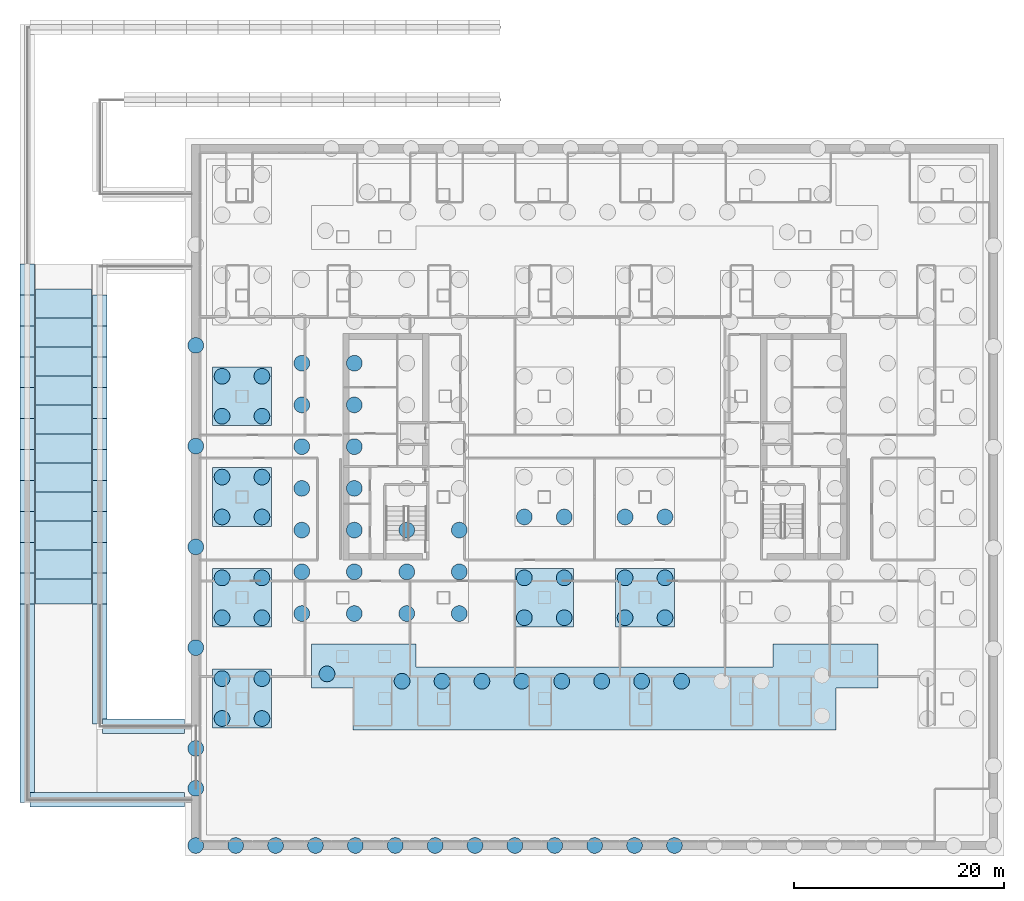
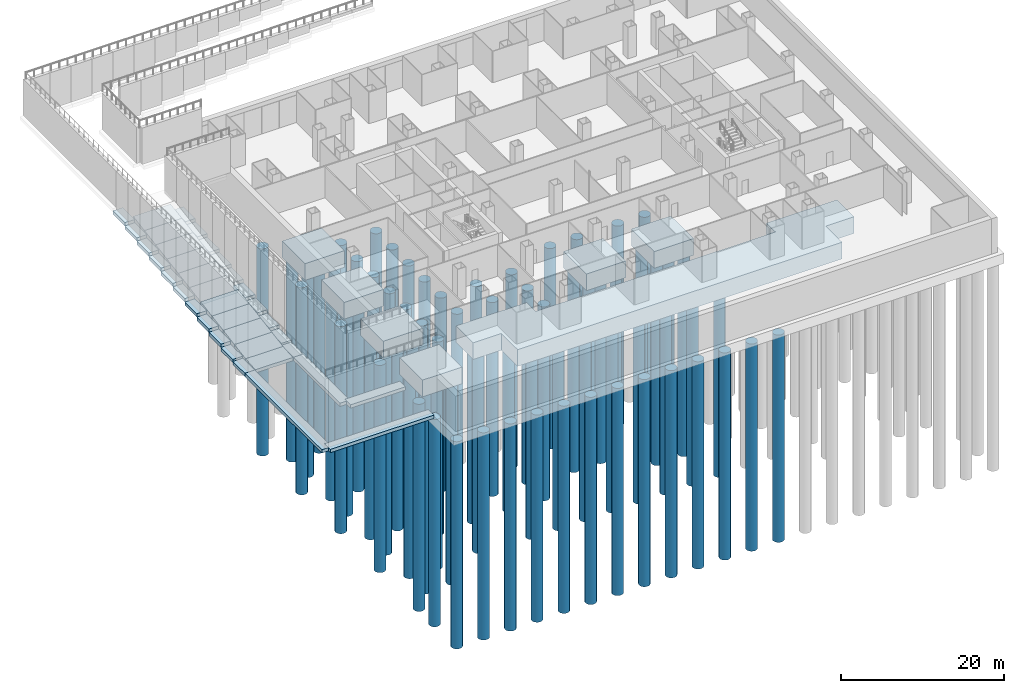
# One storey, part 1 of 17: 76 piles, 43 footings.
"""IFC4 building model written with IfcOpenShell, lengths in metres."""

from ifc_helpers import new_model, si_unit, direction, frame, origin, origin_2d, place, context, subcontext, project, spatial, polyline, circle, outline, extrude, material, material_profile, profile_set, type_object, element, save


model = new_model("IFC4")

# Units and contexts
model_context = context("Model", 3, precision=1e-05, world=origin(), true_north=direction((0.0, 1.0)))
body_context = subcontext(model_context, "Body", "Model", "MODEL_VIEW")
ifc_project = project(units=[si_unit("LENGTHUNIT", "METRE"), si_unit("AREAUNIT", "SQUARE_METRE"), si_unit("VOLUMEUNIT", "CUBIC_METRE"), si_unit("PLANEANGLEUNIT", "RADIAN"), si_unit("MASSUNIT", "GRAM", prefix="KILO")], contexts=[model_context])

# Site, building, storey
site_placement = place(None, origin())
site = spatial("IfcSite", under=ifc_project, at=site_placement, CompositionType="ELEMENT")
building_placement = place(site_placement, origin())
building = spatial("IfcBuilding", under=site, at=building_placement, Name="Cobrizo Arcos Hotel Tower", CompositionType="ELEMENT")
storey_placement = place(building_placement, frame((0.0, 0.0, -10.0)))
storey = spatial("IfcBuildingStorey", under=building, at=storey_placement, Name="B2", CompositionType="ELEMENT", Elevation=-10.0)

# Piles
ifc_material = material(Name="Concrete f'c 40 MPa", Category="concrete")
ifc_material_profile = material_profile(ifc_material, circle(Radius=0.75, at=origin_2d()), Name="BORED PILE 1500")
ifc_profile_set = profile_set([ifc_material_profile], Name="Concrete f'c 40 MPa")
pile_type = type_object("IfcPileType", Name="Bored pile 1500", PredefinedType="BORED", material=ifc_profile_set)
for number, where, z_axis, x_axis, name in (
    (1, (-27.89990234375, -15.89990234375, -3.949951171875), (0.0, 0.0, -1.0), (1.0, 0.0, 0.0), "Bored pile PL1, west core raft, row 00, no. 00"),
    (2, (-27.89990234375, -11.925048828125, -3.949951171875), (0.0, 0.0, -1.0), (1.0, 0.0, 0.0), "Bored pile PL1, west core raft, row 00, no. 01"),
    (3, (-27.89990234375, -7.949951171875, -3.949951171875), (0.0, 0.0, -1.0), (1.0, 0.0, 0.0), "Bored pile PL1, west core raft, row 00, no. 02"),
    (4, (-27.89990234375, -3.97509765625, -3.949951171875), (0.0, 0.0, -1.0), (1.0, 0.0, 0.0), "Bored pile PL1, west core raft, row 00, no. 03"),
    (5, (-27.89990234375, 0.0, -3.949951171875), (0.0, 0.0, -1.0), (1.0, 0.0, 0.0), "Bored pile PL1, west core raft, row 00, no. 04"),
    (6, (-27.89990234375, 3.97509765625, -3.949951171875), (0.0, 0.0, -1.0), (1.0, 0.0, 0.0), "Bored pile PL1, west core raft, row 00, no. 05"),
    (7, (-27.89990234375, 7.949951171875, -3.949951171875), (0.0, 0.0, -1.0), (1.0, 0.0, 0.0), "Bored pile PL1, west core raft, row 00, no. 06"),
    (8, (-22.89990234375, -15.89990234375, -3.949951171875), (0.0, 0.0, -1.0), (1.0, 0.0, 0.0), "Bored pile PL1, west core raft, row 01, no. 00"),
    (9, (-22.89990234375, -11.925048828125, -3.949951171875), (0.0, 0.0, -1.0), (1.0, 0.0, 0.0), "Bored pile PL1, west core raft, row 01, no. 01"),
    (10, (-22.89990234375, -7.949951171875, -3.949951171875), (0.0, 0.0, -1.0), (1.0, 0.0, 0.0), "Bored pile PL1, west core raft, row 01, no. 02"),
    (11, (-22.89990234375, -3.97509765625, -3.949951171875), (0.0, 0.0, -1.0), (1.0, 0.0, 0.0), "Bored pile PL1, west core raft, row 01, no. 03"),
    (12, (-22.89990234375, 0.0, -3.949951171875), (0.0, 0.0, -1.0), (1.0, 0.0, 0.0), "Bored pile PL1, west core raft, row 01, no. 04"),
    (13, (-22.89990234375, 3.97509765625, -3.949951171875), (0.0, 0.0, -1.0), (1.0, 0.0, 0.0), "Bored pile PL1, west core raft, row 01, no. 05"),
    (14, (-22.89990234375, 7.949951171875, -3.949951171875), (0.0, 0.0, -1.0), (1.0, 0.0, 0.0), "Bored pile PL1, west core raft, row 01, no. 06"),
    (15, (-17.89990234375, -15.89990234375, -3.949951171875), (0.0, 0.0, -1.0), (1.0, 0.0, 0.0), "Bored pile PL1, west core raft, row 02, no. 00"),
    (16, (-17.89990234375, -11.925048828125, -3.949951171875), (0.0, 0.0, -1.0), (1.0, 0.0, 0.0), "Bored pile PL1, west core raft, row 02, no. 01"),
    (17, (-17.89990234375, -7.949951171875, -3.949951171875), (0.0, 0.0, -1.0), (1.0, 0.0, 0.0), "Bored pile PL1, west core raft, row 02, no. 02"),
    (18, (-12.89990234375, -15.89990234375, -3.949951171875), (0.0, 0.0, -1.0), (1.0, 0.0, 0.0), "Bored pile PL1, west core raft, row 03, no. 00"),
    (19, (-12.89990234375, -11.925048828125, -3.949951171875), (0.0, 0.0, -1.0), (1.0, 0.0, 0.0), "Bored pile PL1, west core raft, row 03, no. 01"),
    (20, (-12.89990234375, -7.949951171875, -3.949951171875), (0.0, 0.0, -1.0), (1.0, 0.0, 0.0), "Bored pile PL1, west core raft, row 03, no. 02"),
):
    element("IfcPile", number, at=place(storey_placement, frame(where, z_axis=z_axis, x_axis=x_axis)), inside=storey, type_object=pile_type, Name=name, PredefinedType="BORED", context=body_context, shape_type="SweptSolid", body=[
        extrude(circle(Radius=0.75, at=origin_2d()), origin(), (0.0, 0.0, 1.0), 29.050048828125),
    ])
for number, where, z_axis, x_axis, name in (
    (21, (-35.5, -25.89990234375, -2.949951171875), (0.0, 0.0, -1.0), (1.0, 0.0, 0.0), "Bored pile PL1, pile cap 01, no. 0"),
    (22, (-31.699951171875, -25.89990234375, -2.949951171875), (0.0, 0.0, -1.0), (1.0, 0.0, 0.0), "Bored pile PL1, pile cap 01, no. 1"),
    (23, (-35.5, -22.10009765625, -2.949951171875), (0.0, 0.0, -1.0), (1.0, 0.0, 0.0), "Bored pile PL1, pile cap 01, no. 2"),
    (24, (-31.699951171875, -22.10009765625, -2.949951171875), (0.0, 0.0, -1.0), (1.0, 0.0, 0.0), "Bored pile PL1, pile cap 01, no. 3"),
    (25, (-35.5, -16.300048828125, -2.949951171875), (0.0, 0.0, -1.0), (1.0, 0.0, 0.0), "Bored pile PL1, pile cap 02, no. 0"),
    (26, (-31.699951171875, -16.300048828125, -2.949951171875), (0.0, 0.0, -1.0), (1.0, 0.0, 0.0), "Bored pile PL1, pile cap 02, no. 1"),
    (27, (-35.5, -12.5, -2.949951171875), (0.0, 0.0, -1.0), (1.0, 0.0, 0.0), "Bored pile PL1, pile cap 02, no. 2"),
    (28, (-31.699951171875, -12.5, -2.949951171875), (0.0, 0.0, -1.0), (1.0, 0.0, 0.0), "Bored pile PL1, pile cap 02, no. 3"),
    (29, (-35.5, -6.699951171875, -2.949951171875), (0.0, 0.0, -1.0), (1.0, 0.0, 0.0), "Bored pile PL1, pile cap 03, no. 0"),
    (30, (-31.699951171875, -6.699951171875, -2.949951171875), (0.0, 0.0, -1.0), (1.0, 0.0, 0.0), "Bored pile PL1, pile cap 03, no. 1"),
    (31, (-35.5, -2.89990234375, -2.949951171875), (0.0, 0.0, -1.0), (1.0, 0.0, 0.0), "Bored pile PL1, pile cap 03, no. 2"),
    (32, (-31.699951171875, -2.89990234375, -2.949951171875), (0.0, 0.0, -1.0), (1.0, 0.0, 0.0), "Bored pile PL1, pile cap 03, no. 3"),
    (33, (-35.5, 2.89990234375, -2.949951171875), (0.0, 0.0, -1.0), (1.0, 0.0, 0.0), "Bored pile PL1, pile cap 04, no. 0"),
    (34, (-31.699951171875, 2.89990234375, -2.949951171875), (0.0, 0.0, -1.0), (1.0, 0.0, 0.0), "Bored pile PL1, pile cap 04, no. 1"),
    (35, (-35.5, 6.699951171875, -2.949951171875), (0.0, 0.0, -1.0), (1.0, 0.0, 0.0), "Bored pile PL1, pile cap 04, no. 2"),
    (36, (-31.699951171875, 6.699951171875, -2.949951171875), (0.0, 0.0, -1.0), (1.0, 0.0, 0.0), "Bored pile PL1, pile cap 04, no. 3"),
    (37, (-6.699951171875, -16.300048828125, -2.949951171875), (0.0, 0.0, -1.0), (1.0, 0.0, 0.0), "Bored pile PL1, pile cap 07, no. 0"),
    (38, (-2.89990234375, -16.300048828125, -2.949951171875), (0.0, 0.0, -1.0), (1.0, 0.0, 0.0), "Bored pile PL1, pile cap 07, no. 1"),
    (39, (-6.699951171875, -12.5, -2.949951171875), (0.0, 0.0, -1.0), (1.0, 0.0, 0.0), "Bored pile PL1, pile cap 07, no. 2"),
    (40, (-2.89990234375, -12.5, -2.949951171875), (0.0, 0.0, -1.0), (1.0, 0.0, 0.0), "Bored pile PL1, pile cap 07, no. 3"),
    (41, (-6.699951171875, -6.699951171875, -2.949951171875), (0.0, 0.0, -1.0), (1.0, 0.0, 0.0), "Bored pile PL1, pile cap 08, no. 0"),
    (42, (-2.89990234375, -6.699951171875, -2.949951171875), (0.0, 0.0, -1.0), (1.0, 0.0, 0.0), "Bored pile PL1, pile cap 08, no. 1"),
    (43, (2.89990234375, -16.300048828125, -2.949951171875), (0.0, 0.0, -1.0), (1.0, 0.0, 0.0), "Bored pile PL1, pile cap 11, no. 0"),
    (44, (6.699951171875, -16.300048828125, -2.949951171875), (0.0, 0.0, -1.0), (1.0, 0.0, 0.0), "Bored pile PL1, pile cap 11, no. 1"),
    (45, (2.89990234375, -12.5, -2.949951171875), (0.0, 0.0, -1.0), (1.0, 0.0, 0.0), "Bored pile PL1, pile cap 11, no. 2"),
    (46, (6.699951171875, -12.5, -2.949951171875), (0.0, 0.0, -1.0), (1.0, 0.0, 0.0), "Bored pile PL1, pile cap 11, no. 3"),
    (47, (2.89990234375, -6.699951171875, -2.949951171875), (0.0, 0.0, -1.0), (1.0, 0.0, 0.0), "Bored pile PL1, pile cap 12, no. 0"),
    (48, (6.699951171875, -6.699951171875, -2.949951171875), (0.0, 0.0, -1.0), (1.0, 0.0, 0.0), "Bored pile PL1, pile cap 12, no. 1"),
    (49, (-18.35009765625, -22.35009765625, -2.949951171875), (0.0, 0.0, -1.0), (1.0, 0.0, 0.0), "Bored pile PL1, strip footing 01, no. 001"),
    (50, (-14.545654296875, -22.35009765625, -2.949951171875), (0.0, 0.0, -1.0), (1.0, 0.0, 0.0), "Bored pile PL1, strip footing 01, no. 002"),
    (51, (-10.741455078125, -22.35009765625, -2.949951171875), (0.0, 0.0, -1.0), (1.0, 0.0, 0.0), "Bored pile PL1, strip footing 01, no. 003"),
    (52, (-6.937255859375, -22.35009765625, -2.949951171875), (0.0, 0.0, -1.0), (1.0, 0.0, 0.0), "Bored pile PL1, strip footing 01, no. 004"),
    (53, (-3.133056640625, -22.35009765625, -2.949951171875), (0.0, 0.0, -1.0), (1.0, 0.0, 0.0), "Bored pile PL1, strip footing 01, no. 005"),
    (54, (0.67138671875, -22.35009765625, -2.949951171875), (0.0, 0.0, -1.0), (1.0, 0.0, 0.0), "Bored pile PL1, strip footing 01, no. 006"),
    (55, (4.4755859375, -22.35009765625, -2.949951171875), (0.0, 0.0, -1.0), (1.0, 0.0, 0.0), "Bored pile PL1, strip footing 01, no. 007"),
    (56, (8.27978515625, -22.35009765625, -2.949951171875), (0.0, 0.0, -1.0), (1.0, 0.0, 0.0), "Bored pile PL1, strip footing 01, no. 008"),
    (57, (-25.501220703125, -21.64990234375, -2.949951171875), (0.0, 0.0, -1.0), (1.0, 0.0, 0.0), "Bored pile PL1, strip footing 01, no. 012"),
):
    element("IfcPile", number, at=place(storey_placement, frame(where, z_axis=z_axis, x_axis=x_axis)), inside=storey, type_object=pile_type, Name=name, PredefinedType="BORED", context=body_context, shape_type="SweptSolid", body=[
        extrude(circle(Radius=0.75, at=origin_2d()), origin(), (0.0, 0.0, 1.0), 30.050048828125),
    ])
for number, where, z_axis, x_axis, name in (
    (58, (-38.0, -38.0, -1.949951171875), (0.0, 0.0, -1.0), (1.0, 0.0, 0.0), "Bored pile PL1, basement wall strip, no. 000"),
    (59, (-34.199951171875, -38.0, -1.949951171875), (0.0, 0.0, -1.0), (1.0, 0.0, 0.0), "Bored pile PL1, basement wall strip, no. 001"),
    (60, (-30.39990234375, -38.0, -1.949951171875), (0.0, 0.0, -1.0), (1.0, 0.0, 0.0), "Bored pile PL1, basement wall strip, no. 002"),
    (61, (-26.60009765625, -38.0, -1.949951171875), (0.0, 0.0, -1.0), (1.0, 0.0, 0.0), "Bored pile PL1, basement wall strip, no. 003"),
    (62, (-22.800048828125, -38.0, -1.949951171875), (0.0, 0.0, -1.0), (1.0, 0.0, 0.0), "Bored pile PL1, basement wall strip, no. 004"),
    (63, (-19.0, -38.0, -1.949951171875), (0.0, 0.0, -1.0), (1.0, 0.0, 0.0), "Bored pile PL1, basement wall strip, no. 005"),
    (64, (-15.199951171875, -38.0, -1.949951171875), (0.0, 0.0, -1.0), (1.0, 0.0, 0.0), "Bored pile PL1, basement wall strip, no. 006"),
    (65, (-11.39990234375, -38.0, -1.949951171875), (0.0, 0.0, -1.0), (1.0, 0.0, 0.0), "Bored pile PL1, basement wall strip, no. 007"),
    (66, (-7.60009765625, -38.0, -1.949951171875), (0.0, 0.0, -1.0), (1.0, 0.0, 0.0), "Bored pile PL1, basement wall strip, no. 008"),
    (67, (-3.800048828125, -38.0, -1.949951171875), (0.0, 0.0, -1.0), (1.0, 0.0, 0.0), "Bored pile PL1, basement wall strip, no. 009"),
    (68, (0.0, -38.0, -1.949951171875), (0.0, 0.0, -1.0), (1.0, 0.0, 0.0), "Bored pile PL1, basement wall strip, no. 010"),
    (69, (3.800048828125, -38.0, -1.949951171875), (0.0, 0.0, -1.0), (1.0, 0.0, 0.0), "Bored pile PL1, basement wall strip, no. 011"),
    (70, (7.60009765625, -38.0, -1.949951171875), (0.0, 0.0, -1.0), (1.0, 0.0, 0.0), "Bored pile PL1, basement wall strip, no. 012"),
    (71, (-38.0, 9.64990234375, -1.949951171875), (0.0, 0.0, -1.0), (1.0, 0.0, 0.0), "Bored pile PL1, basement wall strip, no. 043"),
    (72, (-38.0, 0.050048828125, -1.949951171875), (0.0, 0.0, -1.0), (1.0, 0.0, 0.0), "Bored pile PL1, basement wall strip, no. 044"),
    (73, (-38.0, -9.550048828125, -1.949951171875), (0.0, 0.0, -1.0), (1.0, 0.0, 0.0), "Bored pile PL1, basement wall strip, no. 045"),
    (74, (-38.0, -19.14990234375, -1.949951171875), (0.0, 0.0, -1.0), (1.0, 0.0, 0.0), "Bored pile PL1, basement wall strip, no. 046"),
    (75, (-38.0, -28.75, -1.949951171875), (0.0, 0.0, -1.0), (1.0, 0.0, 0.0), "Bored pile PL1, basement wall strip, no. 047"),
    (76, (-38.0, -32.550048828125, -1.949951171875), (0.0, 0.0, -1.0), (1.0, 0.0, 0.0), "Bored pile PL1, basement wall strip, no. 048"),
):
    element("IfcPile", number, at=place(storey_placement, frame(where, z_axis=z_axis, x_axis=x_axis)), inside=storey, type_object=pile_type, Name=name, PredefinedType="BORED", context=body_context, shape_type="SweptSolid", body=[
        extrude(circle(Radius=0.75, at=origin_2d()), origin(), (0.0, 0.0, 1.0), 31.050048828125),
    ])

# Footings
footing_type_1 = type_object("IfcFootingType", Name="Pile cap 4 piles 5600 x 5600", PredefinedType="PILE_CAP", material=ifc_material)
footing_1_placement = place(storey_placement, frame((0.0, 0.0, -3.10009765625)))
element("IfcFooting", 77, at=footing_1_placement, inside=storey, type_object=footing_type_1, Name="Pile cap PC1, no. 01", PredefinedType="PILE_CAP", context=body_context, shape_type="SweptSolid", body=[
    extrude(outline(polyline([(-30.800048828125, -26.800048828125), (-30.800048828125, -21.199951171875), (-36.39990234375, -21.199951171875), (-36.39990234375, -26.800048828125), (-30.800048828125, -26.800048828125)])), origin(), (0.0, 0.0, 1.0), 2.5),
])
footing_2_placement = place(storey_placement, frame((0.0, 0.0, -3.10009765625)))
element("IfcFooting", 78, at=footing_2_placement, inside=storey, type_object=footing_type_1, Name="Pile cap PC2, no. 02", PredefinedType="PILE_CAP", context=body_context, shape_type="SweptSolid", body=[
    extrude(outline(polyline([(-30.800048828125, -17.199951171875), (-30.800048828125, -11.60009765625), (-36.39990234375, -11.60009765625), (-36.39990234375, -17.199951171875), (-30.800048828125, -17.199951171875)])), origin(), (0.0, 0.0, 1.0), 2.5),
])
footing_3_placement = place(storey_placement, frame((0.0, 0.0, -3.10009765625)))
element("IfcFooting", 79, at=footing_3_placement, inside=storey, type_object=footing_type_1, Name="Pile cap PC3, no. 03", PredefinedType="PILE_CAP", context=body_context, shape_type="SweptSolid", body=[
    extrude(outline(polyline([(-30.800048828125, -7.60009765625), (-30.800048828125, -2.0), (-36.39990234375, -2.0), (-36.39990234375, -7.60009765625), (-30.800048828125, -7.60009765625)])), origin(), (0.0, 0.0, 1.0), 2.5),
])
footing_4_placement = place(storey_placement, frame((0.0, 0.0, -3.10009765625)))
element("IfcFooting", 80, at=footing_4_placement, inside=storey, type_object=footing_type_1, Name="Pile cap PC4, no. 04", PredefinedType="PILE_CAP", context=body_context, shape_type="SweptSolid", body=[
    extrude(outline(polyline([(-30.800048828125, 2.0), (-30.800048828125, 7.60009765625), (-36.39990234375, 7.60009765625), (-36.39990234375, 2.0), (-30.800048828125, 2.0)])), origin(), (0.0, 0.0, 1.0), 2.5),
])
footing_5_placement = place(storey_placement, frame((0.0, 0.0, -3.10009765625)))
element("IfcFooting", 81, at=footing_5_placement, inside=storey, type_object=footing_type_1, Name="Pile cap PC7, no. 07", PredefinedType="PILE_CAP", context=body_context, shape_type="SweptSolid", body=[
    extrude(outline(polyline([(-2.0, -17.199951171875), (-2.0, -11.60009765625), (-7.60009765625, -11.60009765625), (-7.60009765625, -17.199951171875), (-2.0, -17.199951171875)])), origin(), (0.0, 0.0, 1.0), 2.5),
])
footing_6_placement = place(storey_placement, frame((0.0, 0.0, -3.10009765625)))
element("IfcFooting", 82, at=footing_6_placement, inside=storey, type_object=footing_type_1, Name="Pile cap PC11, no. 11", PredefinedType="PILE_CAP", context=body_context, shape_type="SweptSolid", body=[
    extrude(outline(polyline([(7.60009765625, -17.199951171875), (7.60009765625, -11.60009765625), (2.0, -11.60009765625), (2.0, -17.199951171875), (7.60009765625, -17.199951171875)])), origin(), (0.0, 0.0, 1.0), 2.5),
])
footing_type_2 = type_object("IfcFootingType", Name="Ramp bed footing 500", PredefinedType="STRIP_FOOTING", material=ifc_material)
for number, where, z_axis, x_axis, name in (
    (83, (-50.60009765625, 15.0, 3.5400390625), (0.0, 0.0, 1.0), (0.0, -1.0, 0.0), "Ramp B bed footing 2.1"),
    (84, (-50.60009765625, 12.239990234375, 3.080078125), (0.0, 0.0, 1.0), (0.0, -1.0, 0.0), "Ramp B bed footing 2.2"),
    (85, (-50.60009765625, 9.47998046875, 2.6201171875), (0.0, 0.0, 1.0), (0.0, -1.0, 0.0), "Ramp B bed footing 2.3"),
):
    element("IfcFooting", number, at=place(storey_placement, frame(where, z_axis=z_axis, x_axis=x_axis)), inside=storey, type_object=footing_type_2, Name=name, PredefinedType="STRIP_FOOTING", context=body_context, shape_type="SweptSolid", body=[
        extrude(outline(polyline([(0.0, 0.0), (2.760009765625, 0.0), (2.760009765625, 0.5), (0.0, 0.9599609375), (0.0, 0.0)])), frame((0.0, 2.64990234375, 0.0), z_axis=(0.0, -1.0, 0.0), x_axis=(1.0, 0.0, 0.0)), (0.0, 0.0, 1.0), 5.300048828125),
    ])
footing_7_placement = place(storey_placement, frame((-50.60009765625, 6.719970703125, 2.159912109375), z_axis=(0.0, 0.0, 1.0), x_axis=(0.0, -1.0, 0.0)))
element("IfcFooting", 86, at=footing_7_placement, inside=storey, type_object=footing_type_2, Name="Ramp B bed footing 2.4", PredefinedType="STRIP_FOOTING", context=body_context, shape_type="SweptSolid", body=[
    extrude(outline(polyline([(0.0, 0.0), (2.760009765625, 0.0), (2.760009765625, 0.5), (0.0, 0.960205078125), (0.0, 0.0)])), frame((0.0, 2.64990234375, 0.0), z_axis=(0.0, -1.0, 0.0), x_axis=(1.0, 0.0, 0.0)), (0.0, 0.0, 1.0), 5.300048828125),
])
for number, where, z_axis, x_axis, name in (
    (87, (-50.60009765625, 3.9599609375, 1.699951171875), (0.0, 0.0, 1.0), (0.0, -1.0, 0.0), "Ramp B bed footing 2.5"),
    (88, (-50.60009765625, 1.199951171875, 1.239990234375), (0.0, 0.0, 1.0), (0.0, -1.0, 0.0), "Ramp B bed footing 2.6"),
    (89, (-50.60009765625, -1.56005859375, 0.780029296875), (0.0, 0.0, 1.0), (0.0, -1.0, 0.0), "Ramp B bed footing 2.7"),
    (90, (-50.60009765625, -4.320068359375, 0.320068359375), (0.0, 0.0, 1.0), (0.0, -1.0, 0.0), "Ramp B bed footing 2.8"),
    (91, (-50.60009765625, -7.080078125, -0.139892578125), (0.0, 0.0, 1.0), (0.0, -1.0, 0.0), "Ramp B bed footing 2.9"),
):
    element("IfcFooting", number, at=place(storey_placement, frame(where, z_axis=z_axis, x_axis=x_axis)), inside=storey, type_object=footing_type_2, Name=name, PredefinedType="STRIP_FOOTING", context=body_context, shape_type="SweptSolid", body=[
        extrude(outline(polyline([(0.0, 0.0), (2.760009765625, 0.0), (2.760009765625, 0.5), (0.0, 0.9599609375), (0.0, 0.0)])), frame((0.0, 2.64990234375, 0.0), z_axis=(0.0, -1.0, 0.0), x_axis=(1.0, 0.0, 0.0)), (0.0, 0.0, 1.0), 5.300048828125),
    ])
footing_8_placement = place(storey_placement, frame((-50.60009765625, -9.840087890625, -0.60009765625), z_axis=(0.0, 0.0, 1.0), x_axis=(0.0, -1.0, 0.0)))
element("IfcFooting", 92, at=footing_8_placement, inside=storey, type_object=footing_type_2, Name="Ramp B bed footing 2.10", PredefinedType="STRIP_FOOTING", context=body_context, shape_type="SweptSolid", body=[
    extrude(outline(polyline([(0.0, 0.0), (2.760009765625, 0.0), (2.760009765625, 0.5), (0.0, 0.960205078125), (0.0, 0.0)])), frame((0.0, 2.64990234375, 0.0), z_axis=(0.0, -1.0, 0.0), x_axis=(1.0, 0.0, 0.0)), (0.0, 0.0, 1.0), 5.300048828125),
])
footing_9_placement = place(storey_placement, frame((-50.60009765625, -12.60009765625, -0.800048828125), z_axis=(0.0, 0.0, 1.0), x_axis=(0.0, -1.0, 0.0)))
element("IfcFooting", 93, at=footing_9_placement, inside=storey, type_object=footing_type_2, Name="Ramp B bed footing 3.1", PredefinedType="STRIP_FOOTING", context=body_context, shape_type="SweptSolid", body=[
    extrude(outline(polyline([(0.0, 0.0), (2.39990234375, 0.0), (2.39990234375, 0.5), (0.0, 0.699951171875), (0.0, 0.0)])), frame((0.0, 2.64990234375, 0.0), z_axis=(0.0, -1.0, 0.0), x_axis=(1.0, 0.0, 0.0)), (0.0, 0.0, 1.0), 5.300048828125),
])
footing_type_3 = type_object("IfcFootingType", Name="Ramp wall footing 1400 x 500", PredefinedType="STRIP_FOOTING", material=ifc_material)
footing_10_placement = place(storey_placement, frame((0.0, 0.0, -0.800048828125)))
element("IfcFooting", 94, at=footing_10_placement, inside=storey, type_object=footing_type_3, Name="Ramp B wall footing west 1", PredefinedType="STRIP_FOOTING", context=body_context, shape_type="SweptSolid", body=[
    extrude(outline(polyline([(-54.75, -12.054443359375), (-53.35009765625, -12.054443359375), (-53.35009765625, -15.0), (-54.75, -15.0), (-54.75, -12.054443359375)])), origin(), (0.0, 0.0, 1.0), 0.5),
])
footing_11_placement = place(storey_placement, frame((0.0, 0.0, -0.800048828125)))
element("IfcFooting", 95, at=footing_11_placement, inside=storey, type_object=footing_type_3, Name="Ramp B wall footing east 1", PredefinedType="STRIP_FOOTING", context=body_context, shape_type="SweptSolid", body=[
    extrude(outline(polyline([(-47.85009765625, -12.054443359375), (-46.449951171875, -12.054443359375), (-46.449951171875, -15.0), (-47.85009765625, -15.0), (-47.85009765625, -12.054443359375)])), origin(), (0.0, 0.0, 1.0), 0.5),
])
footing_12_placement = place(storey_placement, frame((0.0, 0.0, -0.509033203125)))
element("IfcFooting", 96, at=footing_12_placement, inside=storey, type_object=footing_type_3, Name="Ramp B wall footing west 2", PredefinedType="STRIP_FOOTING", context=body_context, shape_type="SweptSolid", body=[
    extrude(outline(polyline([(-54.75, -9.109130859375), (-53.35009765625, -9.109130859375), (-53.35009765625, -12.054443359375), (-54.75, -12.054443359375), (-54.75, -9.109130859375)])), origin(), (0.0, 0.0, 1.0), 0.5),
])
footing_13_placement = place(storey_placement, frame((0.0, 0.0, -0.509033203125)))
element("IfcFooting", 97, at=footing_13_placement, inside=storey, type_object=footing_type_3, Name="Ramp B wall footing east 2", PredefinedType="STRIP_FOOTING", context=body_context, shape_type="SweptSolid", body=[
    extrude(outline(polyline([(-47.85009765625, -9.109130859375), (-46.449951171875, -9.109130859375), (-46.449951171875, -12.054443359375), (-47.85009765625, -12.054443359375), (-47.85009765625, -9.109130859375)])), origin(), (0.0, 0.0, 1.0), 0.5),
])
footing_14_placement = place(storey_placement, frame((0.0, 0.0, -0.018310546875)))
element("IfcFooting", 98, at=footing_14_placement, inside=storey, type_object=footing_type_3, Name="Ramp B wall footing west 3", PredefinedType="STRIP_FOOTING", context=body_context, shape_type="SweptSolid", body=[
    extrude(outline(polyline([(-54.75, -6.16357421875), (-53.35009765625, -6.16357421875), (-53.35009765625, -9.109130859375), (-54.75, -9.109130859375), (-54.75, -6.16357421875)])), origin(), (0.0, 0.0, 1.0), 0.5),
])
footing_15_placement = place(storey_placement, frame((0.0, 0.0, -0.018310546875)))
element("IfcFooting", 99, at=footing_15_placement, inside=storey, type_object=footing_type_3, Name="Ramp B wall footing east 3", PredefinedType="STRIP_FOOTING", context=body_context, shape_type="SweptSolid", body=[
    extrude(outline(polyline([(-47.85009765625, -6.16357421875), (-46.449951171875, -6.16357421875), (-46.449951171875, -9.109130859375), (-47.85009765625, -9.109130859375), (-47.85009765625, -6.16357421875)])), origin(), (0.0, 0.0, 1.0), 0.5),
])
footing_16_placement = place(storey_placement, frame((0.0, 0.0, 0.47265625)))
element("IfcFooting", 100, at=footing_16_placement, inside=storey, type_object=footing_type_3, Name="Ramp B wall footing west 4", PredefinedType="STRIP_FOOTING", context=body_context, shape_type="SweptSolid", body=[
    extrude(outline(polyline([(-54.75, -3.21826171875), (-53.35009765625, -3.21826171875), (-53.35009765625, -6.16357421875), (-54.75, -6.16357421875), (-54.75, -3.21826171875)])), origin(), (0.0, 0.0, 1.0), 0.5),
])
footing_17_placement = place(storey_placement, frame((0.0, 0.0, 0.47265625)))
element("IfcFooting", 101, at=footing_17_placement, inside=storey, type_object=footing_type_3, Name="Ramp B wall footing east 4", PredefinedType="STRIP_FOOTING", context=body_context, shape_type="SweptSolid", body=[
    extrude(outline(polyline([(-47.85009765625, -3.21826171875), (-46.449951171875, -3.21826171875), (-46.449951171875, -6.16357421875), (-47.85009765625, -6.16357421875), (-47.85009765625, -3.21826171875)])), origin(), (0.0, 0.0, 1.0), 0.5),
])
footing_18_placement = place(storey_placement, frame((0.0, 0.0, 0.963623046875)))
element("IfcFooting", 102, at=footing_18_placement, inside=storey, type_object=footing_type_3, Name="Ramp B wall footing west 5", PredefinedType="STRIP_FOOTING", context=body_context, shape_type="SweptSolid", body=[
    extrude(outline(polyline([(-54.75, -0.272705078125), (-53.35009765625, -0.272705078125), (-53.35009765625, -3.21826171875), (-54.75, -3.21826171875), (-54.75, -0.272705078125)])), origin(), (0.0, 0.0, 1.0), 0.5),
])
footing_19_placement = place(storey_placement, frame((0.0, 0.0, 0.963623046875)))
element("IfcFooting", 103, at=footing_19_placement, inside=storey, type_object=footing_type_3, Name="Ramp B wall footing east 5", PredefinedType="STRIP_FOOTING", context=body_context, shape_type="SweptSolid", body=[
    extrude(outline(polyline([(-47.85009765625, -0.272705078125), (-46.449951171875, -0.272705078125), (-46.449951171875, -3.21826171875), (-47.85009765625, -3.21826171875), (-47.85009765625, -0.272705078125)])), origin(), (0.0, 0.0, 1.0), 0.5),
])
footing_20_placement = place(storey_placement, frame((0.0, 0.0, 1.45458984375)))
element("IfcFooting", 104, at=footing_20_placement, inside=storey, type_object=footing_type_3, Name="Ramp B wall footing west 6", PredefinedType="STRIP_FOOTING", context=body_context, shape_type="SweptSolid", body=[
    extrude(outline(polyline([(-54.75, 2.672607421875), (-53.35009765625, 2.672607421875), (-53.35009765625, -0.272705078125), (-54.75, -0.272705078125), (-54.75, 2.672607421875)])), origin(), (0.0, 0.0, 1.0), 0.5),
])
footing_21_placement = place(storey_placement, frame((0.0, 0.0, 1.45458984375)))
element("IfcFooting", 105, at=footing_21_placement, inside=storey, type_object=footing_type_3, Name="Ramp B wall footing east 6", PredefinedType="STRIP_FOOTING", context=body_context, shape_type="SweptSolid", body=[
    extrude(outline(polyline([(-47.85009765625, 2.672607421875), (-46.449951171875, 2.672607421875), (-46.449951171875, -0.272705078125), (-47.85009765625, -0.272705078125), (-47.85009765625, 2.672607421875)])), origin(), (0.0, 0.0, 1.0), 0.5),
])
footing_22_placement = place(storey_placement, frame((0.0, 0.0, 1.945556640625)))
element("IfcFooting", 106, at=footing_22_placement, inside=storey, type_object=footing_type_3, Name="Ramp B wall footing west 7", PredefinedType="STRIP_FOOTING", context=body_context, shape_type="SweptSolid", body=[
    extrude(outline(polyline([(-54.75, 5.6181640625), (-53.35009765625, 5.6181640625), (-53.35009765625, 2.672607421875), (-54.75, 2.672607421875), (-54.75, 5.6181640625)])), origin(), (0.0, 0.0, 1.0), 0.5),
])
footing_23_placement = place(storey_placement, frame((0.0, 0.0, 1.945556640625)))
element("IfcFooting", 107, at=footing_23_placement, inside=storey, type_object=footing_type_3, Name="Ramp B wall footing east 7", PredefinedType="STRIP_FOOTING", context=body_context, shape_type="SweptSolid", body=[
    extrude(outline(polyline([(-47.85009765625, 5.6181640625), (-46.449951171875, 5.6181640625), (-46.449951171875, 2.672607421875), (-47.85009765625, 2.672607421875), (-47.85009765625, 5.6181640625)])), origin(), (0.0, 0.0, 1.0), 0.5),
])
footing_24_placement = place(storey_placement, frame((0.0, 0.0, 2.436279296875)))
element("IfcFooting", 108, at=footing_24_placement, inside=storey, type_object=footing_type_3, Name="Ramp B wall footing west 8", PredefinedType="STRIP_FOOTING", context=body_context, shape_type="SweptSolid", body=[
    extrude(outline(polyline([(-54.75, 8.563720703125), (-53.35009765625, 8.563720703125), (-53.35009765625, 5.6181640625), (-54.75, 5.6181640625), (-54.75, 8.563720703125)])), origin(), (0.0, 0.0, 1.0), 0.5),
])
footing_25_placement = place(storey_placement, frame((0.0, 0.0, 2.436279296875)))
element("IfcFooting", 109, at=footing_25_placement, inside=storey, type_object=footing_type_3, Name="Ramp B wall footing east 8", PredefinedType="STRIP_FOOTING", context=body_context, shape_type="SweptSolid", body=[
    extrude(outline(polyline([(-47.85009765625, 8.563720703125), (-46.449951171875, 8.563720703125), (-46.449951171875, 5.6181640625), (-47.85009765625, 5.6181640625), (-47.85009765625, 8.563720703125)])), origin(), (0.0, 0.0, 1.0), 0.5),
])
footing_26_placement = place(storey_placement, frame((0.0, 0.0, 2.92724609375)))
element("IfcFooting", 110, at=footing_26_placement, inside=storey, type_object=footing_type_3, Name="Ramp B wall footing west 9", PredefinedType="STRIP_FOOTING", context=body_context, shape_type="SweptSolid", body=[
    extrude(outline(polyline([(-54.75, 11.509033203125), (-53.35009765625, 11.509033203125), (-53.35009765625, 8.563720703125), (-54.75, 8.563720703125), (-54.75, 11.509033203125)])), origin(), (0.0, 0.0, 1.0), 0.5),
])
footing_27_placement = place(storey_placement, frame((0.0, 0.0, 2.92724609375)))
element("IfcFooting", 111, at=footing_27_placement, inside=storey, type_object=footing_type_3, Name="Ramp B wall footing east 9", PredefinedType="STRIP_FOOTING", context=body_context, shape_type="SweptSolid", body=[
    extrude(outline(polyline([(-47.85009765625, 11.509033203125), (-46.449951171875, 11.509033203125), (-46.449951171875, 8.563720703125), (-47.85009765625, 8.563720703125), (-47.85009765625, 11.509033203125)])), origin(), (0.0, 0.0, 1.0), 0.5),
])
footing_28_placement = place(storey_placement, frame((0.0, 0.0, 3.418212890625)))
element("IfcFooting", 112, at=footing_28_placement, inside=storey, type_object=footing_type_3, Name="Ramp B wall footing west 10", PredefinedType="STRIP_FOOTING", context=body_context, shape_type="SweptSolid", body=[
    extrude(outline(polyline([(-54.75, 14.45458984375), (-53.35009765625, 14.45458984375), (-53.35009765625, 11.509033203125), (-54.75, 11.509033203125), (-54.75, 14.45458984375)])), origin(), (0.0, 0.0, 1.0), 0.5),
])
footing_29_placement = place(storey_placement, frame((0.0, 0.0, 3.418212890625)))
element("IfcFooting", 113, at=footing_29_placement, inside=storey, type_object=footing_type_3, Name="Ramp B wall footing east 10", PredefinedType="STRIP_FOOTING", context=body_context, shape_type="SweptSolid", body=[
    extrude(outline(polyline([(-47.85009765625, 14.45458984375), (-46.449951171875, 14.45458984375), (-46.449951171875, 11.509033203125), (-47.85009765625, 11.509033203125), (-47.85009765625, 14.45458984375)])), origin(), (0.0, 0.0, 1.0), 0.5),
])
footing_30_placement = place(storey_placement, frame((0.0, 0.0, 3.9091796875)))
element("IfcFooting", 114, at=footing_30_placement, inside=storey, type_object=footing_type_3, Name="Ramp B wall footing west 11", PredefinedType="STRIP_FOOTING", context=body_context, shape_type="SweptSolid", body=[
    extrude(outline(polyline([(-54.75, 17.39990234375), (-53.35009765625, 17.39990234375), (-53.35009765625, 14.45458984375), (-54.75, 14.45458984375), (-54.75, 17.39990234375)])), origin(), (0.0, 0.0, 1.0), 0.5),
])
footing_31_placement = place(storey_placement, frame((0.0, 0.0, -0.800048828125)))
element("IfcFooting", 115, at=footing_31_placement, inside=storey, type_object=footing_type_3, Name="Ramp wall footing B west b2", PredefinedType="STRIP_FOOTING", context=body_context, shape_type="SweptSolid", body=[
    extrude(outline(polyline([(-54.75, -15.0), (-53.35009765625, -15.0), (-53.35009765625, -33.89990234375), (-54.75, -33.89990234375), (-54.75, -15.0)])), origin(), (0.0, 0.0, 1.0), 0.5),
])
footing_32_placement = place(storey_placement, frame((0.0, 0.0, -0.800048828125)))
element("IfcFooting", 116, at=footing_32_placement, inside=storey, type_object=footing_type_3, Name="Ramp wall footing B east b2", PredefinedType="STRIP_FOOTING", context=body_context, shape_type="SweptSolid", body=[
    extrude(outline(polyline([(-47.85009765625, -15.0), (-46.449951171875, -15.0), (-46.449951171875, -26.39990234375), (-47.85009765625, -26.39990234375), (-47.85009765625, -15.0)])), origin(), (0.0, 0.0, 1.0), 0.5),
])
footing_33_placement = place(storey_placement, frame((0.0, 0.0, -0.800048828125)))
element("IfcFooting", 117, at=footing_33_placement, inside=storey, type_object=footing_type_3, Name="Ramp wall footing B2 south", PredefinedType="STRIP_FOOTING", context=body_context, shape_type="SweptSolid", body=[
    extrude(outline(polyline([(-39.10009765625, -32.949951171875), (-39.10009765625, -34.35009765625), (-53.800048828125, -34.35009765625), (-53.800048828125, -32.949951171875), (-39.10009765625, -32.949951171875)])), origin(), (0.0, 0.0, 1.0), 0.5),
])
footing_34_placement = place(storey_placement, frame((0.0, 0.0, -0.800048828125)))
element("IfcFooting", 118, at=footing_34_placement, inside=storey, type_object=footing_type_3, Name="Ramp wall footing B2 north", PredefinedType="STRIP_FOOTING", context=body_context, shape_type="SweptSolid", body=[
    extrude(outline(polyline([(-39.10009765625, -25.949951171875), (-39.10009765625, -27.35009765625), (-46.89990234375, -27.35009765625), (-46.89990234375, -25.949951171875), (-39.10009765625, -25.949951171875)])), origin(), (0.0, 0.0, 1.0), 0.5),
])
footing_type_4 = type_object("IfcFootingType", Name="Tower strip footing 6000 wide", PredefinedType="STRIP_FOOTING", material=ifc_material)
footing_35_placement = place(storey_placement, frame((0.0, 0.0, -3.10009765625)))
element("IfcFooting", 119, at=footing_35_placement, inside=storey, type_object=footing_type_4, Name="Tower strip footing SF1, no. 01", PredefinedType="STRIP_FOOTING", context=body_context, shape_type="SweptSolid", body=[
    extrude(outline(polyline([(-23.0, -23.0), (-27.0, -23.0), (-27.0, -18.800048828125), (-17.0, -18.800048828125), (-17.0, -21.0), (17.0, -21.0), (17.0, -18.800048828125), (27.0, -18.800048828125), (27.0, -23.0), (23.0, -23.0), (23.0, -27.0), (-23.0, -27.0), (-23.0, -23.0)])), origin(), (0.0, 0.0, 1.0), 2.5),
])

save(model, "model.ifc")
